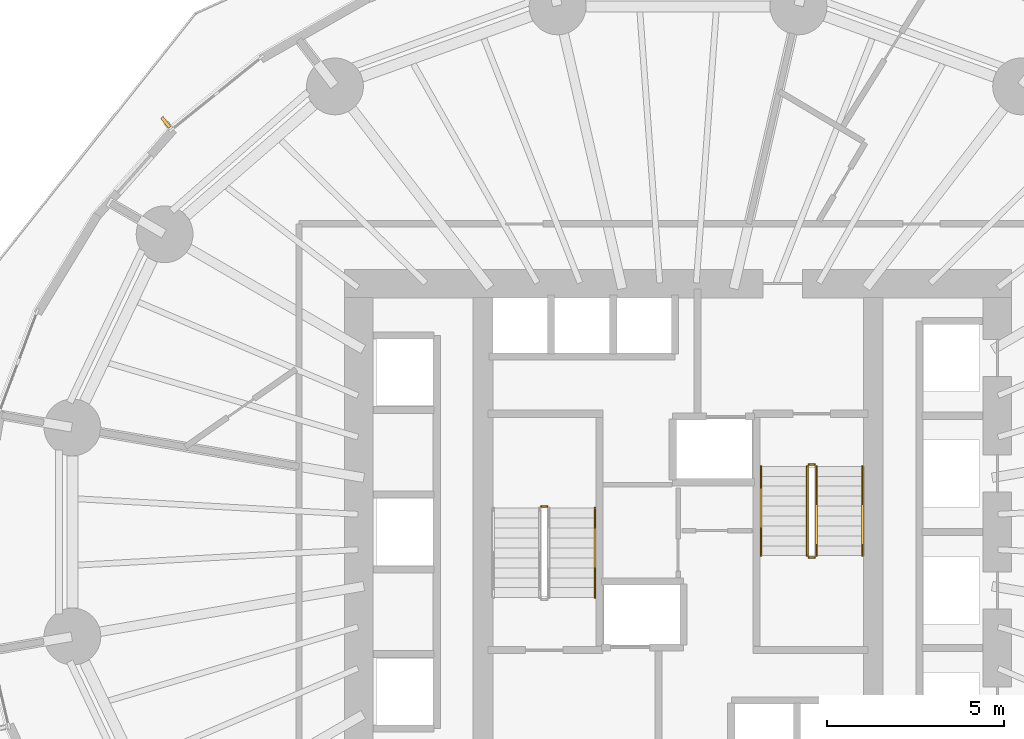
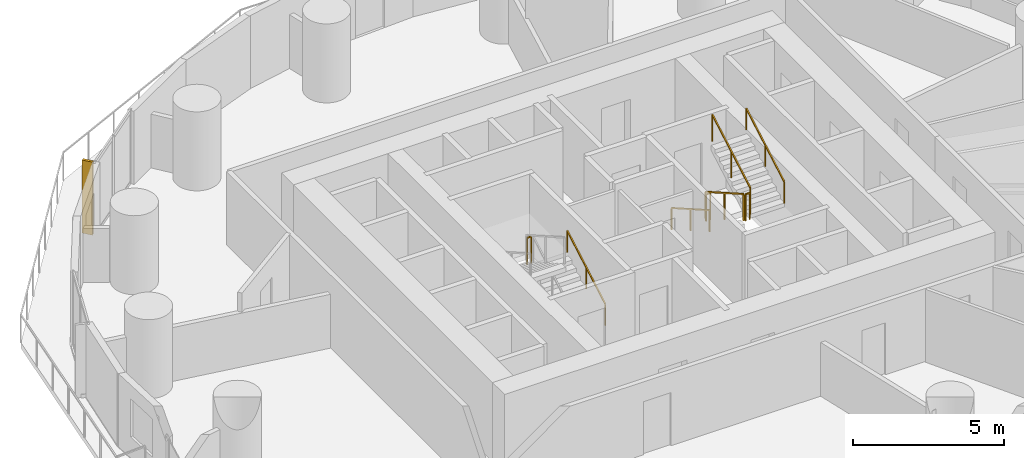
# One storey, part 13 of 14: 8 railings, 1 shading device.
"""IFC4 building model written with IfcOpenShell, lengths in metres."""

from ifc_helpers import new_model, si_unit, direction, frame, origin, origin_2d, place, context, subcontext, project, spatial, rectangle, extrude, material, layer, layer_set, type_object, element, save


model = new_model("IFC4")

# Units and contexts
model_context = context("Model", 3, precision=1e-05, world=origin(), true_north=direction((0.0, 1.0)))
body_context = subcontext(model_context, "Body", "Model", "MODEL_VIEW")
ifc_project = project(units=[si_unit("LENGTHUNIT", "METRE"), si_unit("AREAUNIT", "SQUARE_METRE"), si_unit("VOLUMEUNIT", "CUBIC_METRE"), si_unit("PLANEANGLEUNIT", "RADIAN"), si_unit("MASSUNIT", "GRAM", prefix="KILO")], contexts=[model_context])

# Site, building, storey
site_placement = place(None, origin())
site = spatial("IfcSite", under=ifc_project, at=site_placement, CompositionType="ELEMENT")
building_placement = place(site_placement, origin())
building = spatial("IfcBuilding", under=site, at=building_placement, Name="Veldorim Arch Residences", CompositionType="ELEMENT")
storey_placement = place(building_placement, frame((0.0, 0.0, 40.800048828125)))
storey = spatial("IfcBuildingStorey", under=building, at=storey_placement, Name="L11", CompositionType="ELEMENT", Elevation=40.800048828125)

# Railings
ifc_material_1 = material(Name="Steel S355", Category="steel")
railing_type_1 = type_object("IfcRailingType", Name="Galvanised Steel Stair Safety Guardrail 1100", PredefinedType="GUARDRAIL", material=ifc_material_1)
railing_1_placement = place(storey_placement, frame((28.31005859375, 24.719970703125, 1.599853515625)))
element("IfcRailing", 1, at=railing_1_placement, inside=storey, type_object=railing_type_1, Name="L11 ST-1 stair guard 2", PredefinedType="GUARDRAIL", context=body_context, shape_type="SweptSolid", body=[
    extrude(rectangle(XDim=0.048095703125, YDim=0.048095703125, at=origin_2d()), frame((0.0, 0.0, 1.076171875), z_axis=(-1.0, 0.0, 0.0), x_axis=(0.0, -1.0, 0.0)), (0.0, 0.0, 1.0), 0.16015625),
    extrude(rectangle(XDim=0.0419921875, YDim=0.0419921875, at=origin_2d()), origin(), (0.0, 0.0, 1.0), 1.052001953125),
    extrude(rectangle(XDim=0.0419921875, YDim=0.0419921875, at=origin_2d()), frame((-0.16015625, 0.0, 0.0)), (0.0, 0.0, 1.0), 1.052001953125),
])
railing_2_placement = place(storey_placement, frame((35.639892578125, 25.85009765625, 0.159912109375)))
element("IfcRailing", 2, at=railing_2_placement, inside=storey, type_object=railing_type_1, Name="L11 ST-2 stair guard 1", PredefinedType="GUARDRAIL", context=body_context, shape_type="SweptSolid", body=[
    extrude(rectangle(XDim=0.048095703125, YDim=0.048095703125, at=origin_2d()), frame((0.0, 0.0, 1.076171875), z_axis=(0.0, -0.868253494771, 0.496120820787), x_axis=(1.0, 0.0, 0.0)), (0.0, 0.0, 1.0), 2.90234375),
    extrude(rectangle(XDim=0.0419921875, YDim=0.0419921875, at=origin_2d()), origin(), (0.0, 0.0, 1.0), 1.052001953125),
    extrude(rectangle(XDim=0.0419921875, YDim=0.0419921875, at=origin_2d()), frame((0.0, -1.260009765625, 0.719970703125)), (0.0, 0.0, 1.0), 1.052001953125),
    extrude(rectangle(XDim=0.0419921875, YDim=0.0419921875, at=origin_2d()), frame((0.0, -2.52001953125, 1.43994140625)), (0.0, 0.0, 1.0), 1.052001953125),
])
railing_3_placement = place(storey_placement, frame((35.68994140625, 23.280029296875, 1.599853515625)))
element("IfcRailing", 3, at=railing_3_placement, inside=storey, type_object=railing_type_1, Name="L11 ST-2 stair guard 2", PredefinedType="GUARDRAIL", context=body_context, shape_type="SweptSolid", body=[
    extrude(rectangle(XDim=0.048095703125, YDim=0.048095703125, at=origin_2d()), frame((0.0, 0.0, 1.076171875), z_axis=(1.0, 0.0, 0.0), x_axis=(0.0, 1.0, 0.0)), (0.0, 0.0, 1.0), 0.16015625),
    extrude(rectangle(XDim=0.0419921875, YDim=0.0419921875, at=origin_2d()), origin(), (0.0, 0.0, 1.0), 1.052001953125),
    extrude(rectangle(XDim=0.0419921875, YDim=0.0419921875, at=origin_2d()), frame((0.16015625, 0.0, 0.0)), (0.0, 0.0, 1.0), 1.052001953125),
])
railing_4_placement = place(storey_placement, frame((35.89990234375, 23.330078125, 1.760009765625)))
element("IfcRailing", 4, at=railing_4_placement, inside=storey, type_object=railing_type_1, Name="L11 ST-2 stair guard 3", PredefinedType="GUARDRAIL", context=body_context, shape_type="SweptSolid", body=[
    extrude(rectangle(XDim=0.048095703125, YDim=0.048095703125, at=origin_2d()), frame((0.0, 0.0, 1.076171875), z_axis=(0.0, 0.868253494771, 0.496120820787), x_axis=(-1.0, 0.0, 0.0)), (0.0, 0.0, 1.0), 2.90234375),
    extrude(rectangle(XDim=0.0419921875, YDim=0.0419921875, at=origin_2d()), origin(), (0.0, 0.0, 1.0), 1.052001953125),
    extrude(rectangle(XDim=0.0419921875, YDim=0.0419921875, at=origin_2d()), frame((0.0, 1.260009765625, 0.719970703125)), (0.0, 0.0, 1.0), 1.052001953125),
    extrude(rectangle(XDim=0.0419921875, YDim=0.0419921875, at=origin_2d()), frame((0.0, 2.52001953125, 1.43994140625)), (0.0, 0.0, 1.0), 1.052001953125),
])
railing_5_placement = place(storey_placement, frame((35.68994140625, 25.89990234375, 0.0)))
element("IfcRailing", 5, at=railing_5_placement, inside=storey, type_object=railing_type_1, Name="L11 ST-2 stair guard 4", PredefinedType="GUARDRAIL", context=body_context, shape_type="SweptSolid", body=[
    extrude(rectangle(XDim=0.048095703125, YDim=0.048095703125, at=origin_2d()), frame((0.0, 0.0, 1.076171875), z_axis=(1.0, 0.0, 0.0), x_axis=(0.0, 1.0, 0.0)), (0.0, 0.0, 1.0), 0.16015625),
    extrude(rectangle(XDim=0.0419921875, YDim=0.0419921875, at=origin_2d()), origin(), (0.0, 0.0, 1.0), 1.052001953125),
    extrude(rectangle(XDim=0.0419921875, YDim=0.0419921875, at=origin_2d()), frame((0.16015625, 0.0, 0.0)), (0.0, 0.0, 1.0), 1.052001953125),
])
ifc_material_2 = material(Name="Stainless Steel", Category="steel")
railing_type_2 = type_object("IfcRailingType", Name="Tubular Steel Continuous Wall Handrail 900", PredefinedType="HANDRAIL", material=ifc_material_2)
railing_6_placement = place(storey_placement, frame((29.659912109375, 22.14990234375, 0.159912109375)))
element("IfcRailing", 6, at=railing_6_placement, inside=storey, type_object=railing_type_2, Name="L11 ST-1 stair handrail 1", PredefinedType="HANDRAIL", context=body_context, shape_type="SweptSolid", body=[
    extrude(rectangle(XDim=0.048095703125, YDim=0.048095703125, at=origin_2d()), frame((0.0, 0.0, 0.8759765625), z_axis=(0.0, 0.868253494771, 0.496120820787), x_axis=(-1.0, 0.0, 0.0)), (0.0, 0.0, 1.0), 2.90234375),
    extrude(rectangle(XDim=0.0419921875, YDim=0.0419921875, at=origin_2d()), origin(), (0.0, 0.0, 1.0), 0.851806640625),
    extrude(rectangle(XDim=0.0419921875, YDim=0.0419921875, at=origin_2d()), frame((0.0, 1.260009765625, 0.719970703125)), (0.0, 0.0, 1.0), 0.851806640625),
    extrude(rectangle(XDim=0.0419921875, YDim=0.0419921875, at=origin_2d()), frame((0.0, 2.52001953125, 1.43994140625)), (0.0, 0.0, 1.0), 0.851806640625),
])
railing_7_placement = place(storey_placement, frame((34.340087890625, 25.85009765625, 0.159912109375)))
element("IfcRailing", 7, at=railing_7_placement, inside=storey, type_object=railing_type_2, Name="L11 ST-2 stair handrail 1", PredefinedType="HANDRAIL", context=body_context, shape_type="SweptSolid", body=[
    extrude(rectangle(XDim=0.048095703125, YDim=0.048095703125, at=origin_2d()), frame((0.0, 0.0, 0.8759765625), z_axis=(0.0, -0.868253494771, 0.496120820787), x_axis=(1.0, 0.0, 0.0)), (0.0, 0.0, 1.0), 2.90234375),
    extrude(rectangle(XDim=0.0419921875, YDim=0.0419921875, at=origin_2d()), origin(), (0.0, 0.0, 1.0), 0.851806640625),
    extrude(rectangle(XDim=0.0419921875, YDim=0.0419921875, at=origin_2d()), frame((0.0, -1.260009765625, 0.719970703125)), (0.0, 0.0, 1.0), 0.851806640625),
    extrude(rectangle(XDim=0.0419921875, YDim=0.0419921875, at=origin_2d()), frame((0.0, -2.52001953125, 1.43994140625)), (0.0, 0.0, 1.0), 0.851806640625),
])
railing_8_placement = place(storey_placement, frame((37.199951171875, 23.330078125, 1.760009765625)))
element("IfcRailing", 8, at=railing_8_placement, inside=storey, type_object=railing_type_2, Name="L11 ST-2 stair handrail 2", PredefinedType="HANDRAIL", context=body_context, shape_type="SweptSolid", body=[
    extrude(rectangle(XDim=0.048095703125, YDim=0.048095703125, at=origin_2d()), frame((0.0, 0.0, 0.8759765625), z_axis=(0.0, 0.868253494771, 0.496120820787), x_axis=(-1.0, 0.0, 0.0)), (0.0, 0.0, 1.0), 2.90234375),
    extrude(rectangle(XDim=0.0419921875, YDim=0.0419921875, at=origin_2d()), origin(), (0.0, 0.0, 1.0), 0.851806640625),
    extrude(rectangle(XDim=0.0419921875, YDim=0.0419921875, at=origin_2d()), frame((0.0, 1.260009765625, 0.719970703125)), (0.0, 0.0, 1.0), 0.851806640625),
    extrude(rectangle(XDim=0.0419921875, YDim=0.0419921875, at=origin_2d()), frame((0.0, 2.52001953125, 1.43994140625)), (0.0, 0.0, 1.0), 0.851806640625),
])

# Shading device
ifc_material_3 = material(Name="Terracotta Ceramic", Category="masonry")
ifc_layer = layer(ifc_material_3, 0.090087890625, Name="Vertical Extruded Terracotta Baguette Sun-Shading Fin")
ifc_layer_set = layer_set([ifc_layer], Name="Terracotta Ceramic")
shading_device_type = type_object("IfcShadingDeviceType", Name="Vertical Extruded Terracotta Baguette Sun-Shading Fin", PredefinedType="USERDEFINED", material=ifc_layer_set)
shading_device_placement = place(storey_placement, frame((17.56689453125, 35.541748046875, 0.0), z_axis=(0.0, 0.0, 1.0), x_axis=(0.778571842519, 0.627555484428, 0.0)))
element("IfcShadingDevice", 9, at=shading_device_placement, inside=storey, type_object=shading_device_type, Name="L11 vertical terracotta sun-shading fin 13", ObjectType="FIN", PredefinedType="USERDEFINED", context=body_context, shape_type="SweptSolid", body=[
    extrude(rectangle(XDim=0.090087890625, YDim=0.360107421875, at=origin_2d()), origin(), (0.0, 0.0, 1.0), 2.9599609375),
])

save(model, "model.ifc")
